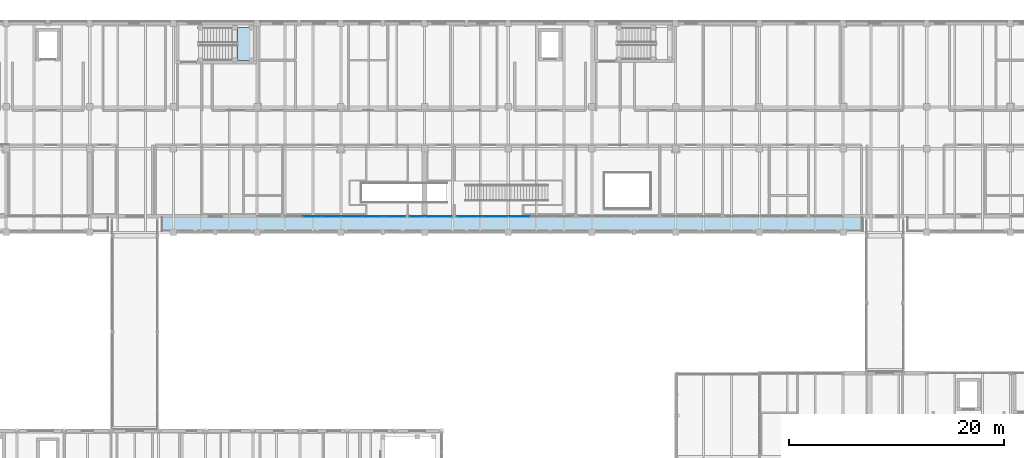
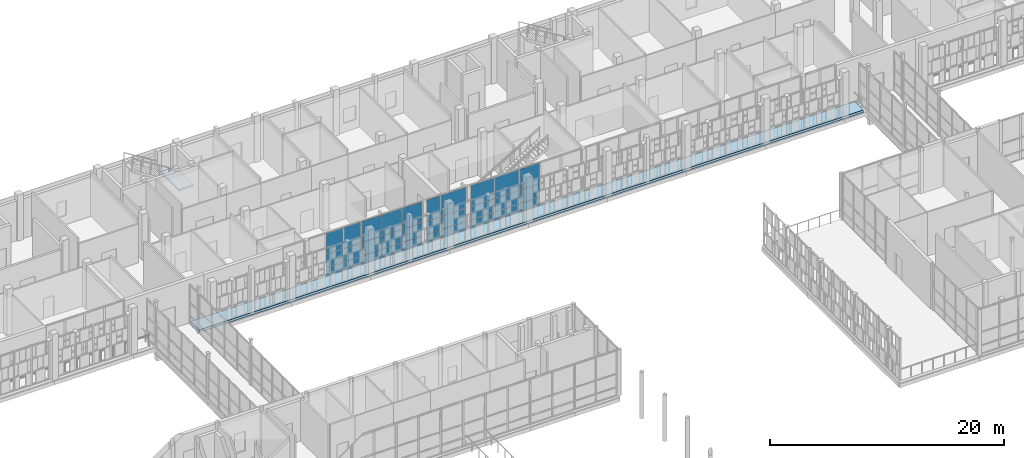
# One storey, part 84 of 138: 30 plates, 2 slabs, 7 elements without a shape of their own.
"""IFC4 building model written with IfcOpenShell, lengths in metres."""

from ifc_helpers import new_model, si_unit, direction, frame, origin, origin_2d, place, context, subcontext, project, spatial, polyline, rectangle, outline, extrude, material, layer, layer_set, type_object, element, aggregate, save


model = new_model("IFC4")

# Units and contexts
model_context = context("Model", 3, precision=1e-05, world=origin(), true_north=direction((0.0, 1.0)))
body_context = subcontext(model_context, "Body", "Model", "MODEL_VIEW")
ifc_project = project(units=[si_unit("LENGTHUNIT", "METRE"), si_unit("AREAUNIT", "SQUARE_METRE"), si_unit("VOLUMEUNIT", "CUBIC_METRE"), si_unit("PLANEANGLEUNIT", "RADIAN"), si_unit("MASSUNIT", "GRAM", prefix="KILO")], contexts=[model_context])

# Site, building, storey
site_placement = place(None, origin())
site = spatial("IfcSite", under=ifc_project, at=site_placement, CompositionType="ELEMENT")
building_placement = place(site_placement, origin())
building = spatial("IfcBuilding", under=site, at=building_placement, Name="Celorna Specialist Clinic", CompositionType="ELEMENT")
storey_placement = place(building_placement, frame((0.0, 0.0, 4.800048828125)))
storey = spatial("IfcBuildingStorey", under=building, at=storey_placement, Name="L01", CompositionType="ELEMENT", Elevation=4.800048828125)

# Curtain wall, plates
ifc_material_1 = material(Name="Thermally broken aluminium and solar-control glass curtain wall", Category="aluminium")
ifc_layer_1 = layer(ifc_material_1, 0.159912109375, Name="Thermally broken aluminium and solar-control glass curtain wall")
ifc_layer_set_1 = layer_set([ifc_layer_1], Name="Thermally broken aluminium and solar-control glass curtain wall")
curtain_wall_type_1 = type_object("IfcCurtainWallType", Name="CW-55", PredefinedType="NOTDEFINED", material=ifc_layer_set_1)
curtain_wall_1_placement = place(storey_placement, origin())
curtain_wall_1 = element("IfcCurtainWall", 1, at=curtain_wall_1_placement, inside=storey, type_object=curtain_wall_type_1, Name="Curtain wall CW-55 #109", PredefinedType="NOTDEFINED")
ifc_material_2 = material(Name="Low-e double glazing", Category="glass")
ifc_layer_2 = layer(ifc_material_2, 0.028076171875, Name="Low-e double glazing")
ifc_layer_set_2 = layer_set([ifc_layer_2], Name="Low-e double glazing")
plate_type_1 = type_object("IfcPlateType", Name="CPN-01", PredefinedType="CURTAIN_PANEL", material=ifc_layer_set_2)
plate_1_placement = place(storey_placement, frame((107.970458984375, 98.0, 0.0498046875), z_axis=(0.0, 0.0, 1.0), x_axis=(-1.0, 0.0, 0.0)))
plate_1 = element("IfcPlate", 2, at=plate_1_placement, type_object=plate_type_1, Name="CW-55 panel 1.1", PredefinedType="CURTAIN_PANEL", context=body_context, shape_type="SweptSolid", body=[
    extrude(rectangle(XDim=2.35107421875, YDim=0.028076171875, at=origin_2d()), origin(), (0.0, 0.0, 1.0), 0.824951171875),
])
plate_2_placement = place(storey_placement, frame((107.970458984375, 98.0, 0.9248046875), z_axis=(0.0, 0.0, 1.0), x_axis=(-1.0, 0.0, 0.0)))
plate_2 = element("IfcPlate", 3, at=plate_2_placement, type_object=plate_type_1, Name="CW-55 panel 1.2", PredefinedType="CURTAIN_PANEL", context=body_context, shape_type="SweptSolid", body=[
    extrude(rectangle(XDim=2.35107421875, YDim=0.028076171875, at=origin_2d()), origin(), (0.0, 0.0, 1.0), 1.35009765625),
])
plate_3_placement = place(storey_placement, frame((107.970458984375, 98.0, 2.324951171875), z_axis=(0.0, 0.0, 1.0), x_axis=(-1.0, 0.0, 0.0)))
plate_3 = element("IfcPlate", 4, at=plate_3_placement, type_object=plate_type_1, Name="CW-55 panel 1.3", PredefinedType="CURTAIN_PANEL", context=body_context, shape_type="SweptSolid", body=[
    extrude(rectangle(XDim=2.35107421875, YDim=0.028076171875, at=origin_2d()), origin(), (0.0, 0.0, 1.0), 2.1650390625),
])
plate_4_placement = place(storey_placement, frame((105.569580078125, 98.0, 0.0498046875), z_axis=(0.0, 0.0, 1.0), x_axis=(-1.0, 0.0, 0.0)))
plate_4 = element("IfcPlate", 5, at=plate_4_placement, type_object=plate_type_1, Name="CW-55 panel 2.1", PredefinedType="CURTAIN_PANEL", context=body_context, shape_type="SweptSolid", body=[
    extrude(rectangle(XDim=2.35107421875, YDim=0.028076171875, at=origin_2d()), origin(), (0.0, 0.0, 1.0), 0.824951171875),
])
plate_5_placement = place(storey_placement, frame((105.569580078125, 98.0, 0.9248046875), z_axis=(0.0, 0.0, 1.0), x_axis=(-1.0, 0.0, 0.0)))
plate_5 = element("IfcPlate", 6, at=plate_5_placement, type_object=plate_type_1, Name="CW-55 panel 2.2", PredefinedType="CURTAIN_PANEL", context=body_context, shape_type="SweptSolid", body=[
    extrude(rectangle(XDim=2.35107421875, YDim=0.028076171875, at=origin_2d()), origin(), (0.0, 0.0, 1.0), 1.35009765625),
])
plate_6_placement = place(storey_placement, frame((105.569580078125, 98.0, 2.324951171875), z_axis=(0.0, 0.0, 1.0), x_axis=(-1.0, 0.0, 0.0)))
plate_6 = element("IfcPlate", 7, at=plate_6_placement, type_object=plate_type_1, Name="CW-55 panel 2.3", PredefinedType="CURTAIN_PANEL", context=body_context, shape_type="SweptSolid", body=[
    extrude(rectangle(XDim=2.35107421875, YDim=0.028076171875, at=origin_2d()), origin(), (0.0, 0.0, 1.0), 2.1650390625),
])
aggregate(curtain_wall_1, [plate_1, plate_2, plate_3, plate_4, plate_5, plate_6])

ifc_layer_3 = layer(ifc_material_1, 0.159912109375, Name="Thermally broken aluminium and solar-control glass curtain wall")
ifc_layer_set_3 = layer_set([ifc_layer_3], Name="Thermally broken aluminium and solar-control glass curtain wall")
curtain_wall_type_2 = type_object("IfcCurtainWallType", Name="CW-56", PredefinedType="NOTDEFINED", material=ifc_layer_set_3)
curtain_wall_2_placement = place(storey_placement, origin())
curtain_wall_2 = element("IfcCurtainWall", 8, at=curtain_wall_2_placement, inside=storey, type_object=curtain_wall_type_2, Name="Curtain wall CW-56 #110", PredefinedType="NOTDEFINED")
plate_7_placement = place(storey_placement, frame((102.699951171875, 98.0, 0.0498046875), z_axis=(0.0, 0.0, 1.0), x_axis=(-1.0, 0.0, 0.0)))
plate_7 = element("IfcPlate", 9, at=plate_7_placement, type_object=plate_type_1, Name="CW-56 panel 1.1", PredefinedType="CURTAIN_PANEL", context=body_context, shape_type="SweptSolid", body=[
    extrude(rectangle(XDim=2.491943359375, YDim=0.028076171875, at=origin_2d()), origin(), (0.0, 0.0, 1.0), 0.824951171875),
])
plate_8_placement = place(storey_placement, frame((102.699951171875, 98.0, 0.9248046875), z_axis=(0.0, 0.0, 1.0), x_axis=(-1.0, 0.0, 0.0)))
plate_8 = element("IfcPlate", 10, at=plate_8_placement, type_object=plate_type_1, Name="CW-56 panel 1.2", PredefinedType="CURTAIN_PANEL", context=body_context, shape_type="SweptSolid", body=[
    extrude(rectangle(XDim=2.491943359375, YDim=0.028076171875, at=origin_2d()), origin(), (0.0, 0.0, 1.0), 1.35009765625),
])
plate_9_placement = place(storey_placement, frame((102.699951171875, 98.0, 2.324951171875), z_axis=(0.0, 0.0, 1.0), x_axis=(-1.0, 0.0, 0.0)))
plate_9 = element("IfcPlate", 11, at=plate_9_placement, type_object=plate_type_1, Name="CW-56 panel 1.3", PredefinedType="CURTAIN_PANEL", context=body_context, shape_type="SweptSolid", body=[
    extrude(rectangle(XDim=2.491943359375, YDim=0.028076171875, at=origin_2d()), origin(), (0.0, 0.0, 1.0), 2.1650390625),
])
aggregate(curtain_wall_2, [plate_7, plate_8, plate_9])

ifc_layer_4 = layer(ifc_material_1, 0.159912109375, Name="Thermally broken aluminium and solar-control glass curtain wall")
ifc_layer_set_4 = layer_set([ifc_layer_4], Name="Thermally broken aluminium and solar-control glass curtain wall")
curtain_wall_type_3 = type_object("IfcCurtainWallType", Name="CW-51", PredefinedType="NOTDEFINED", material=ifc_layer_set_4)
curtain_wall_3_placement = place(storey_placement, origin())
curtain_wall_3 = element("IfcCurtainWall", 12, at=curtain_wall_3_placement, inside=storey, type_object=curtain_wall_type_3, Name="Curtain wall CW-51 #105", PredefinedType="NOTDEFINED")
ifc_material_3 = material(Name="Solar-control triple glazing", Category="glass")
ifc_layer_5 = layer(ifc_material_3, 0.035888671875, Name="Solar-control triple glazing")
ifc_layer_set_5 = layer_set([ifc_layer_5], Name="Solar-control triple glazing")
plate_type_2 = type_object("IfcPlateType", Name="CPN-02", PredefinedType="CURTAIN_PANEL", material=ifc_layer_set_5)
plate_10_placement = place(storey_placement, frame((92.708251953125, 98.0, 0.0498046875), z_axis=(0.0, 0.0, 1.0), x_axis=(-1.0, 0.0, 0.0)))
plate_10 = element("IfcPlate", 13, at=plate_10_placement, type_object=plate_type_2, Name="CW-51 panel 1.1", PredefinedType="CURTAIN_PANEL", context=body_context, shape_type="SweptSolid", body=[
    extrude(rectangle(XDim=1.67578125, YDim=0.035888671875, at=origin_2d()), origin(), (0.0, 0.0, 1.0), 0.824951171875),
])
plate_11_placement = place(storey_placement, frame((92.708251953125, 98.0, 0.9248046875), z_axis=(0.0, 0.0, 1.0), x_axis=(-1.0, 0.0, 0.0)))
plate_11 = element("IfcPlate", 14, at=plate_11_placement, type_object=plate_type_2, Name="CW-51 panel 1.2", PredefinedType="CURTAIN_PANEL", context=body_context, shape_type="SweptSolid", body=[
    extrude(rectangle(XDim=1.67578125, YDim=0.035888671875, at=origin_2d()), origin(), (0.0, 0.0, 1.0), 1.35009765625),
])
plate_12_placement = place(storey_placement, frame((92.708251953125, 98.0, 2.324951171875), z_axis=(0.0, 0.0, 1.0), x_axis=(-1.0, 0.0, 0.0)))
plate_12 = element("IfcPlate", 15, at=plate_12_placement, type_object=plate_type_2, Name="CW-51 panel 1.3", PredefinedType="CURTAIN_PANEL", context=body_context, shape_type="SweptSolid", body=[
    extrude(rectangle(XDim=1.67578125, YDim=0.035888671875, at=origin_2d()), origin(), (0.0, 0.0, 1.0), 2.1650390625),
])
plate_13_placement = place(storey_placement, frame((90.969970703125, 98.0, 0.0498046875), z_axis=(0.0, 0.0, 1.0), x_axis=(-1.0, 0.0, 0.0)))
plate_13 = element("IfcPlate", 16, at=plate_13_placement, type_object=plate_type_2, Name="CW-51 panel 2.1", PredefinedType="CURTAIN_PANEL", context=body_context, shape_type="SweptSolid", body=[
    extrude(rectangle(XDim=1.70068359375, YDim=0.035888671875, at=origin_2d()), origin(), (0.0, 0.0, 1.0), 0.824951171875),
])
plate_14_placement = place(storey_placement, frame((90.969970703125, 98.0, 0.9248046875), z_axis=(0.0, 0.0, 1.0), x_axis=(-1.0, 0.0, 0.0)))
plate_14 = element("IfcPlate", 17, at=plate_14_placement, type_object=plate_type_2, Name="CW-51 panel 2.2", PredefinedType="CURTAIN_PANEL", context=body_context, shape_type="SweptSolid", body=[
    extrude(rectangle(XDim=1.70068359375, YDim=0.035888671875, at=origin_2d()), origin(), (0.0, 0.0, 1.0), 1.35009765625),
])
plate_15_placement = place(storey_placement, frame((90.969970703125, 98.0, 2.324951171875), z_axis=(0.0, 0.0, 1.0), x_axis=(-1.0, 0.0, 0.0)))
plate_15 = element("IfcPlate", 18, at=plate_15_placement, type_object=plate_type_2, Name="CW-51 panel 2.3", PredefinedType="CURTAIN_PANEL", context=body_context, shape_type="SweptSolid", body=[
    extrude(rectangle(XDim=1.70068359375, YDim=0.035888671875, at=origin_2d()), origin(), (0.0, 0.0, 1.0), 2.1650390625),
])
aggregate(curtain_wall_3, [plate_10, plate_11, plate_12, plate_13, plate_14, plate_15])

ifc_layer_6 = layer(ifc_material_1, 0.159912109375, Name="Thermally broken aluminium and solar-control glass curtain wall")
ifc_layer_set_6 = layer_set([ifc_layer_6], Name="Thermally broken aluminium and solar-control glass curtain wall")
curtain_wall_type_4 = type_object("IfcCurtainWallType", Name="CW-58", PredefinedType="NOTDEFINED", material=ifc_layer_set_6)
curtain_wall_4_placement = place(storey_placement, origin())
curtain_wall_4 = element("IfcCurtainWall", 19, at=curtain_wall_4_placement, inside=storey, type_object=curtain_wall_type_4, Name="Curtain wall CW-58 #112", PredefinedType="NOTDEFINED")
plate_16_placement = place(storey_placement, frame((110.240234375, 98.0, 0.0498046875), z_axis=(0.0, 0.0, 1.0), x_axis=(-1.0, 0.0, 0.0)))
plate_16 = element("IfcPlate", 20, at=plate_16_placement, type_object=plate_type_2, Name="CW-58 panel 3.1", PredefinedType="CURTAIN_PANEL", context=body_context, shape_type="SweptSolid", body=[
    extrude(rectangle(XDim=1.972412109375, YDim=0.035888671875, at=origin_2d()), origin(), (0.0, 0.0, 1.0), 0.824951171875),
])
plate_17_placement = place(storey_placement, frame((110.240234375, 98.0, 0.9248046875), z_axis=(0.0, 0.0, 1.0), x_axis=(-1.0, 0.0, 0.0)))
plate_17 = element("IfcPlate", 21, at=plate_17_placement, type_object=plate_type_2, Name="CW-58 panel 3.2", PredefinedType="CURTAIN_PANEL", context=body_context, shape_type="SweptSolid", body=[
    extrude(rectangle(XDim=1.972412109375, YDim=0.035888671875, at=origin_2d()), origin(), (0.0, 0.0, 1.0), 1.35009765625),
])
plate_18_placement = place(storey_placement, frame((110.240234375, 98.0, 2.324951171875), z_axis=(0.0, 0.0, 1.0), x_axis=(-1.0, 0.0, 0.0)))
plate_18 = element("IfcPlate", 22, at=plate_18_placement, type_object=plate_type_2, Name="CW-58 panel 3.3", PredefinedType="CURTAIN_PANEL", context=body_context, shape_type="SweptSolid", body=[
    extrude(rectangle(XDim=1.972412109375, YDim=0.035888671875, at=origin_2d()), origin(), (0.0, 0.0, 1.0), 2.1650390625),
])
aggregate(curtain_wall_4, [plate_16, plate_17, plate_18])

ifc_layer_7 = layer(ifc_material_1, 0.159912109375, Name="Thermally broken aluminium and solar-control glass curtain wall")
ifc_layer_set_7 = layer_set([ifc_layer_7], Name="Thermally broken aluminium and solar-control glass curtain wall")
curtain_wall_type_5 = type_object("IfcCurtainWallType", Name="CW-53", PredefinedType="NOTDEFINED", material=ifc_layer_set_7)
curtain_wall_5_placement = place(storey_placement, origin())
curtain_wall_5 = element("IfcCurtainWall", 23, at=curtain_wall_5_placement, inside=storey, type_object=curtain_wall_type_5, Name="Curtain wall CW-53 #107", PredefinedType="NOTDEFINED")
ifc_material_4 = material(Name="Glazed polychrome ceramic insulated spandrel")
ifc_layer_8 = layer(ifc_material_4, 0.0439453125, Name="Glazed polychrome ceramic insulated spandrel")
ifc_layer_set_8 = layer_set([ifc_layer_8], Name="Glazed polychrome ceramic insulated spandrel")
plate_type_3 = type_object("IfcPlateType", Name="CPN-03", PredefinedType="CURTAIN_PANEL", material=ifc_layer_set_8)
plate_19_placement = place(storey_placement, frame((100.695068359375, 98.0, 0.0498046875), z_axis=(0.0, 0.0, 1.0), x_axis=(-1.0, 0.0, 0.0)))
plate_19 = element("IfcPlate", 24, at=plate_19_placement, type_object=plate_type_3, Name="CW-53 panel 1.1", PredefinedType="CURTAIN_PANEL", context=body_context, shape_type="SweptSolid", body=[
    extrude(rectangle(XDim=1.302001953125, YDim=0.0439453125, at=origin_2d()), origin(), (0.0, 0.0, 1.0), 0.824951171875),
])
plate_20_placement = place(storey_placement, frame((100.695068359375, 98.0, 0.9248046875), z_axis=(0.0, 0.0, 1.0), x_axis=(-1.0, 0.0, 0.0)))
plate_20 = element("IfcPlate", 25, at=plate_20_placement, type_object=plate_type_3, Name="CW-53 panel 1.2", PredefinedType="CURTAIN_PANEL", context=body_context, shape_type="SweptSolid", body=[
    extrude(rectangle(XDim=1.302001953125, YDim=0.0439453125, at=origin_2d()), origin(), (0.0, 0.0, 1.0), 1.35009765625),
])
plate_21_placement = place(storey_placement, frame((100.695068359375, 98.0, 2.324951171875), z_axis=(0.0, 0.0, 1.0), x_axis=(-1.0, 0.0, 0.0)))
plate_21 = element("IfcPlate", 26, at=plate_21_placement, type_object=plate_type_3, Name="CW-53 panel 1.3", PredefinedType="CURTAIN_PANEL", context=body_context, shape_type="SweptSolid", body=[
    extrude(rectangle(XDim=1.302001953125, YDim=0.0439453125, at=origin_2d()), origin(), (0.0, 0.0, 1.0), 2.1650390625),
])
aggregate(curtain_wall_5, [plate_19, plate_20, plate_21])

ifc_layer_9 = layer(ifc_material_1, 0.159912109375, Name="Thermally broken aluminium and solar-control glass curtain wall")
ifc_layer_set_9 = layer_set([ifc_layer_9], Name="Thermally broken aluminium and solar-control glass curtain wall")
curtain_wall_type_6 = type_object("IfcCurtainWallType", Name="CW-54", PredefinedType="NOTDEFINED", material=ifc_layer_set_9)
curtain_wall_6_placement = place(storey_placement, origin())
curtain_wall_6 = element("IfcCurtainWall", 27, at=curtain_wall_6_placement, inside=storey, type_object=curtain_wall_type_6, Name="Curtain wall CW-54 #108", PredefinedType="NOTDEFINED")
plate_22_placement = place(storey_placement, frame((98.62646484375, 98.0, 0.0498046875), z_axis=(0.0, 0.0, 1.0), x_axis=(-1.0, 0.0, 0.0)))
plate_22 = element("IfcPlate", 28, at=plate_22_placement, type_object=plate_type_3, Name="CW-54 panel 1.1", PredefinedType="CURTAIN_PANEL", context=body_context, shape_type="SweptSolid", body=[
    extrude(rectangle(XDim=1.93896484375, YDim=0.0439453125, at=origin_2d()), origin(), (0.0, 0.0, 1.0), 0.824951171875),
])
plate_23_placement = place(storey_placement, frame((98.62646484375, 98.0, 0.9248046875), z_axis=(0.0, 0.0, 1.0), x_axis=(-1.0, 0.0, 0.0)))
plate_23 = element("IfcPlate", 29, at=plate_23_placement, type_object=plate_type_3, Name="CW-54 panel 1.2", PredefinedType="CURTAIN_PANEL", context=body_context, shape_type="SweptSolid", body=[
    extrude(rectangle(XDim=1.93896484375, YDim=0.0439453125, at=origin_2d()), origin(), (0.0, 0.0, 1.0), 1.35009765625),
])
plate_24_placement = place(storey_placement, frame((98.62646484375, 98.0, 2.324951171875), z_axis=(0.0, 0.0, 1.0), x_axis=(-1.0, 0.0, 0.0)))
plate_24 = element("IfcPlate", 30, at=plate_24_placement, type_object=plate_type_3, Name="CW-54 panel 1.3", PredefinedType="CURTAIN_PANEL", context=body_context, shape_type="SweptSolid", body=[
    extrude(rectangle(XDim=1.93896484375, YDim=0.0439453125, at=origin_2d()), origin(), (0.0, 0.0, 1.0), 2.1650390625),
])
plate_25_placement = place(storey_placement, frame((96.625, 98.0, 0.0498046875), z_axis=(0.0, 0.0, 1.0), x_axis=(-1.0, 0.0, 0.0)))
plate_25 = element("IfcPlate", 31, at=plate_25_placement, type_object=plate_type_3, Name="CW-54 panel 2.1", PredefinedType="CURTAIN_PANEL", context=body_context, shape_type="SweptSolid", body=[
    extrude(rectangle(XDim=1.964111328125, YDim=0.0439453125, at=origin_2d()), origin(), (0.0, 0.0, 1.0), 0.824951171875),
])
plate_26_placement = place(storey_placement, frame((96.625, 98.0, 0.9248046875), z_axis=(0.0, 0.0, 1.0), x_axis=(-1.0, 0.0, 0.0)))
plate_26 = element("IfcPlate", 32, at=plate_26_placement, type_object=plate_type_3, Name="CW-54 panel 2.2", PredefinedType="CURTAIN_PANEL", context=body_context, shape_type="SweptSolid", body=[
    extrude(rectangle(XDim=1.964111328125, YDim=0.0439453125, at=origin_2d()), origin(), (0.0, 0.0, 1.0), 1.35009765625),
])
plate_27_placement = place(storey_placement, frame((96.625, 98.0, 2.324951171875), z_axis=(0.0, 0.0, 1.0), x_axis=(-1.0, 0.0, 0.0)))
plate_27 = element("IfcPlate", 33, at=plate_27_placement, type_object=plate_type_3, Name="CW-54 panel 2.3", PredefinedType="CURTAIN_PANEL", context=body_context, shape_type="SweptSolid", body=[
    extrude(rectangle(XDim=1.964111328125, YDim=0.0439453125, at=origin_2d()), origin(), (0.0, 0.0, 1.0), 2.1650390625),
])
plate_28_placement = place(storey_placement, frame((94.62353515625, 98.0, 0.0498046875), z_axis=(0.0, 0.0, 1.0), x_axis=(-1.0, 0.0, 0.0)))
plate_28 = element("IfcPlate", 34, at=plate_28_placement, type_object=plate_type_3, Name="CW-54 panel 3.1", PredefinedType="CURTAIN_PANEL", context=body_context, shape_type="SweptSolid", body=[
    extrude(rectangle(XDim=1.93896484375, YDim=0.0439453125, at=origin_2d()), origin(), (0.0, 0.0, 1.0), 0.824951171875),
])
plate_29_placement = place(storey_placement, frame((94.62353515625, 98.0, 0.9248046875), z_axis=(0.0, 0.0, 1.0), x_axis=(-1.0, 0.0, 0.0)))
plate_29 = element("IfcPlate", 35, at=plate_29_placement, type_object=plate_type_3, Name="CW-54 panel 3.2", PredefinedType="CURTAIN_PANEL", context=body_context, shape_type="SweptSolid", body=[
    extrude(rectangle(XDim=1.93896484375, YDim=0.0439453125, at=origin_2d()), origin(), (0.0, 0.0, 1.0), 1.35009765625),
])
plate_30_placement = place(storey_placement, frame((94.62353515625, 98.0, 2.324951171875), z_axis=(0.0, 0.0, 1.0), x_axis=(-1.0, 0.0, 0.0)))
plate_30 = element("IfcPlate", 36, at=plate_30_placement, type_object=plate_type_3, Name="CW-54 panel 3.3", PredefinedType="CURTAIN_PANEL", context=body_context, shape_type="SweptSolid", body=[
    extrude(rectangle(XDim=1.93896484375, YDim=0.0439453125, at=origin_2d()), origin(), (0.0, 0.0, 1.0), 2.1650390625),
])
aggregate(curtain_wall_6, [plate_22, plate_23, plate_24, plate_25, plate_26, plate_27, plate_28, plate_29, plate_30])

# Slab
ifc_material_5 = material(Name="Concrete C35/45", Category="concrete")
ifc_layer_10 = layer(ifc_material_5, 0.260009765625, Name="Concrete C35/45")
ifc_layer_set_10 = layer_set([ifc_layer_10], Name="Concrete C35/45")
slab_type_1 = type_object("IfcSlabType", Name="SL-07", PredefinedType="FLOOR", material=ifc_layer_set_10)
slab_1_placement = place(storey_placement, frame((0.0, 0.0, -0.260009765625)))
element("IfcSlab", 37, at=slab_1_placement, inside=storey, type_object=slab_type_1, Name="Central Outpatient Cloister Veranda", PredefinedType="FLOOR", context=body_context, shape_type="SweptSolid", body=[
    extrude(outline(polyline([(76.800048828125, 96.5), (142.300048828125, 96.5), (142.300048828125, 98.0), (76.800048828125, 98.0), (76.800048828125, 96.5)])), origin(), (0.0, 0.0, 1.0), 0.260009765625),
])

# Stair, slab
stair_type = type_object("IfcStairType", Name="ST-02", PredefinedType="HALF_TURN_STAIR", material=ifc_material_5)
stair_placement = place(storey_placement, origin())
stair = element("IfcStair", 38, at=stair_placement, inside=storey, type_object=stair_type, Name="L01 Protected exit stair ST-02", PredefinedType="HALF_TURN_STAIR")
ifc_layer_11 = layer(ifc_material_5, 0.199951171875, Name="Concrete C35/45")
ifc_layer_set_11 = layer_set([ifc_layer_11], Name="Concrete C35/45")
slab_type_2 = type_object("IfcSlabType", Name="SL-11", PredefinedType="LANDING", material=ifc_layer_set_11)
slab_2_placement = place(storey_placement, frame((0.0, 0.0, 2.199951171875)))
slab_2 = element("IfcSlab", 39, at=slab_2_placement, type_object=slab_type_2, Name="ST-02 landing 1", PredefinedType="LANDING", context=body_context, shape_type="SweptSolid", body=[
    extrude(outline(polyline([(83.97998046875, 112.52001953125), (85.43994140625, 112.52001953125), (85.43994140625, 115.6201171875), (83.97998046875, 115.6201171875), (83.97998046875, 112.52001953125)])), origin(), (0.0, 0.0, 1.0), 0.199951171875),
])
aggregate(stair, [slab_2])

save(model, "model.ifc")
